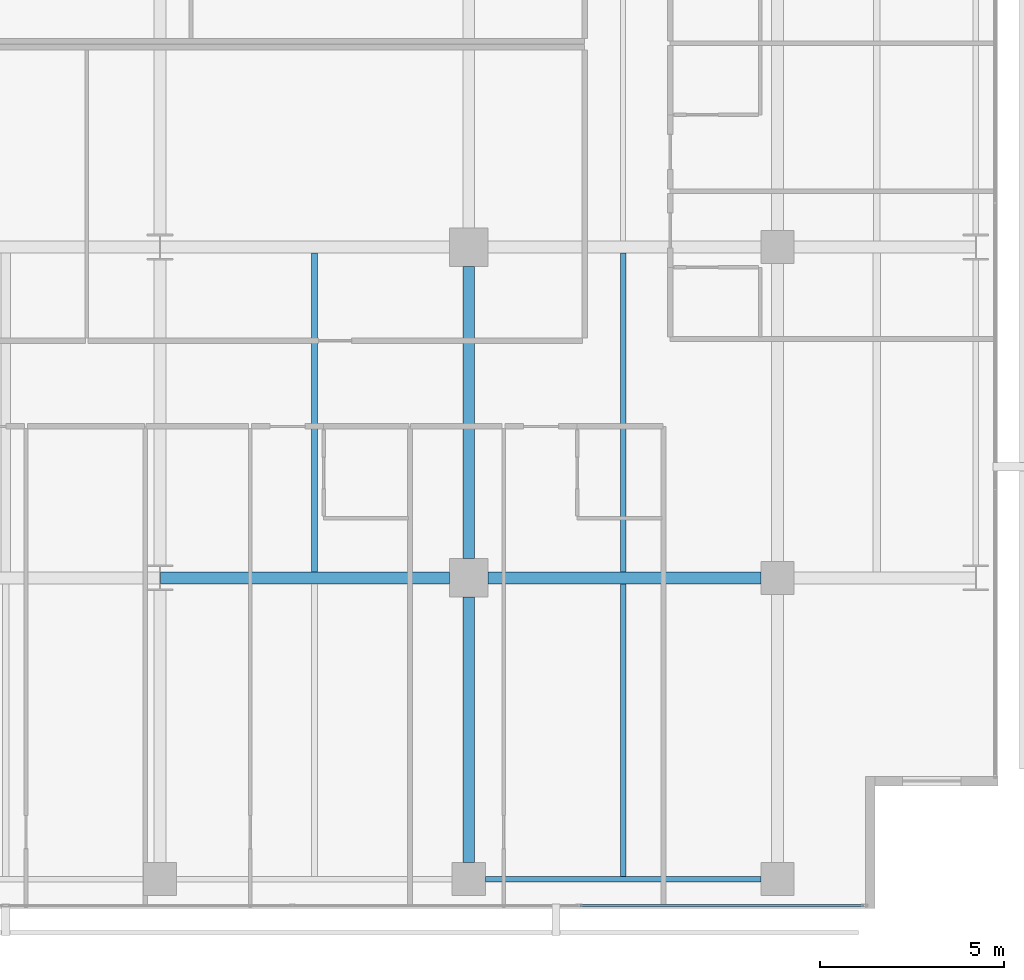
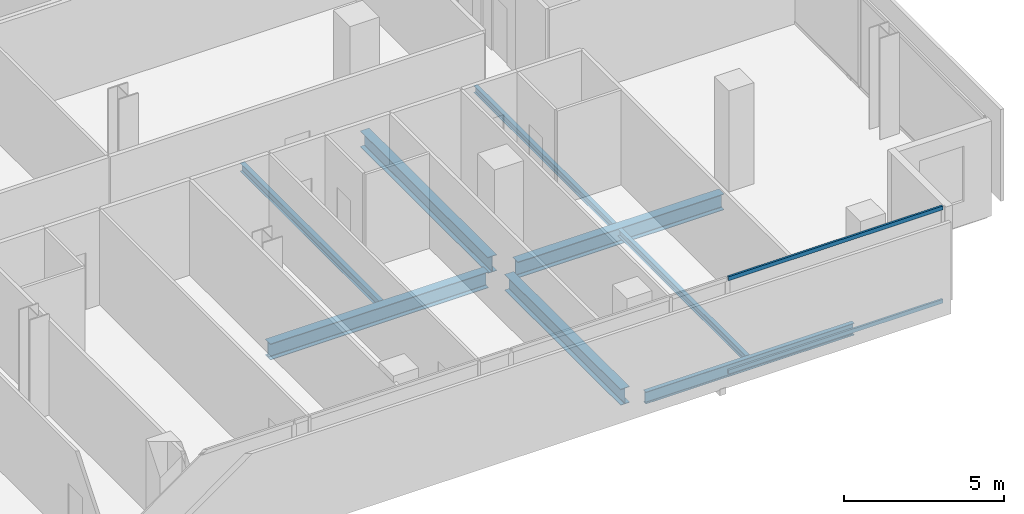
# One storey, part 15 of 41: 8 beams, 2 members, 1 element without a shape of its own.
"""IFC4 building model written with IfcOpenShell, lengths in metres."""

from ifc_helpers import new_model, si_unit, direction, frame, origin, origin_2d, place, context, subcontext, project, spatial, hollow_rectangle, i_section, extrude, material, layer, layer_set, material_profile, profile_set, type_object, element, aggregate, save


model = new_model("IFC4")

# Units and contexts
model_context = context("Model", 3, precision=1e-05, world=origin(), true_north=direction((0.0, 1.0)))
body_context = subcontext(model_context, "Body", "Model", "MODEL_VIEW")
ifc_project = project(units=[si_unit("LENGTHUNIT", "METRE"), si_unit("AREAUNIT", "SQUARE_METRE"), si_unit("VOLUMEUNIT", "CUBIC_METRE"), si_unit("PLANEANGLEUNIT", "RADIAN"), si_unit("MASSUNIT", "GRAM", prefix="KILO")], contexts=[model_context])

# Site, building, storey
site_placement = place(None, origin())
site = spatial("IfcSite", under=ifc_project, at=site_placement, CompositionType="ELEMENT")
building_placement = place(site_placement, origin())
building = spatial("IfcBuilding", under=site, at=building_placement, Name="Maruvema Waterfront Hotel and Observation Tower", CompositionType="ELEMENT")
storey_placement = place(building_placement, frame((0.0, 0.0, 84.699951171875)))
storey = spatial("IfcBuildingStorey", under=building, at=storey_placement, Name="L20", CompositionType="ELEMENT", Elevation=84.699951171875)

# Curtain wall, members
ifc_material_1 = material(Name="Anodised bronze aluminium and solar-control low-E IGU", Category="aluminium")
ifc_layer = layer(ifc_material_1, 0.159912109375, Name="Zone 1 Bronze Inner Thermal Curtain Wall System CW-02")
ifc_layer_set = layer_set([ifc_layer], Name="Anodised bronze aluminium and solar-control low-E IGU")
curtain_wall_type = type_object("IfcCurtainWallType", Name="Zone 1 Bronze Inner Thermal Curtain Wall System CW-02", PredefinedType="USERDEFINED", material=ifc_layer_set)
curtain_wall_placement = place(storey_placement, origin())
curtain_wall = element("IfcCurtainWall", 1, at=curtain_wall_placement, inside=storey, type_object=curtain_wall_type, Name="L20 Curtain Wall CW-L20-S", ObjectType="UNITISED CURTAIN WALL", PredefinedType="USERDEFINED")
ifc_material_2 = material(Name="Anodised architectural bronze aluminium", Category="aluminium")
ifc_material_profile_1 = material_profile(ifc_material_2, hollow_rectangle(XDim=0.070068359375, YDim=0.14990234375, WallThickness=0.00390625, at=origin_2d()), Name="ALU-T70x150")
ifc_profile_set_1 = profile_set([ifc_material_profile_1], Name="Anodised architectural bronze aluminium")
member_type = type_object("IfcMemberType", Name="Curtain Wall Horizontal Transom ALU-T70x150", PredefinedType="USERDEFINED", material=ifc_profile_set_1)
member_1_placement = place(storey_placement, frame((53.429931640625, 0.080078125, 0.030029296875), z_axis=(1.0, 0.0, 0.0), x_axis=(0.0, 1.0, 0.0)))
member_1 = element("IfcMember", 2, at=member_1_placement, type_object=member_type, Name="CW-02 transom 6.1", ObjectType="TRANSOM", PredefinedType="USERDEFINED", context=body_context, shape_type="SweptSolid", body=[
    extrude(hollow_rectangle(XDim=0.070068359375, YDim=0.14990234375, WallThickness=0.00390625, at=origin_2d()), origin(), (0.0, 0.0, 1.0), 7.7099609375),
])
member_2_placement = place(storey_placement, frame((53.429931640625, 0.080078125, 3.580078125), z_axis=(1.0, 0.0, 0.0), x_axis=(0.0, 1.0, 0.0)))
member_2 = element("IfcMember", 3, at=member_2_placement, type_object=member_type, Name="CW-02 transom 6.2", ObjectType="TRANSOM", PredefinedType="USERDEFINED", context=body_context, shape_type="SweptSolid", body=[
    extrude(hollow_rectangle(XDim=0.070068359375, YDim=0.14990234375, WallThickness=0.00390625, at=origin_2d()), origin(), (0.0, 0.0, 1.0), 7.7099609375),
])
aggregate(curtain_wall, [member_1, member_2])

# Beams
ifc_material_3 = material(Name="Steel ASTM A572 Grade 50", Category="steel")
ifc_material_profile_2 = material_profile(ifc_material_3, i_section(OverallWidth=0.153076171875, OverallDepth=0.455078125, WebThickness=0.008056640625, FlangeThickness=0.01318359375, FilletRadius=0.014892578125, at=origin_2d()), Name="W460x60.0")
ifc_profile_set_2 = profile_set([ifc_material_profile_2], Name="Steel ASTM A572 Grade 50")
beam_type_1 = type_object("IfcBeamType", Name="Perimeter Spandrel Beam W460x60.0", PredefinedType="SPANDREL", material=ifc_profile_set_2)
beam_1_placement = place(storey_placement, frame((50.85009765625, 0.800048828125, -0.467529296875), z_axis=(1.0, 0.0, 0.0), x_axis=(0.0, 1.0, 0.0)))
element("IfcBeam", 4, at=beam_1_placement, inside=storey, type_object=beam_type_1, Name="L20 Floor Girder EW-05", PredefinedType="SPANDREL", context=body_context, shape_type="SweptSolid", body=[
    extrude(i_section(OverallWidth=0.153076171875, OverallDepth=0.455078125, WebThickness=0.008056640625, FlangeThickness=0.01318359375, FilletRadius=0.014892578125, at=origin_2d()), origin(), (0.0, 0.0, 1.0), 7.5),
])
ifc_material_4 = material(Name="Steel ASTM A572 Grade 50", Category="steel")
ifc_material_profile_3 = material_profile(ifc_material_4, i_section(OverallWidth=0.323974609375, OverallDepth=0.611083984375, WebThickness=0.0126953125, FlangeThickness=0.01904296875, FilletRadius=0.01806640625, at=origin_2d()), Name="W610x155.0")
ifc_profile_set_3 = profile_set([ifc_material_profile_3], Name="Steel ASTM A572 Grade 50")
beam_type_2 = type_object("IfcBeamType", Name="Primary Floor Girder W610x155.0", PredefinedType="BEAM", material=ifc_profile_set_3)
beam_2_placement = place(storey_placement, frame((42.013916015625, 9.0, -0.54541015625), z_axis=(1.0, 0.0, 0.0), x_axis=(0.0, 1.0, 0.0)))
element("IfcBeam", 5, at=beam_2_placement, inside=storey, type_object=beam_type_2, Name="L20 Floor Girder EW-10", PredefinedType="BEAM", context=body_context, shape_type="SweptSolid", body=[
    extrude(i_section(OverallWidth=0.323974609375, OverallDepth=0.611083984375, WebThickness=0.0126953125, FlangeThickness=0.01904296875, FilletRadius=0.01806640625, at=origin_2d()), origin(), (0.0, 0.0, 1.0), 7.861083984375),
])
beam_3_placement = place(storey_placement, frame((50.925048828125, 9.0, -0.54541015625), z_axis=(1.0, 0.0, 0.0), x_axis=(0.0, 1.0, 0.0)))
element("IfcBeam", 6, at=beam_3_placement, inside=storey, type_object=beam_type_2, Name="L20 Floor Girder EW-11", PredefinedType="BEAM", context=body_context, shape_type="SweptSolid", body=[
    extrude(i_section(OverallWidth=0.323974609375, OverallDepth=0.611083984375, WebThickness=0.0126953125, FlangeThickness=0.01904296875, FilletRadius=0.01806640625, at=origin_2d()), origin(), (0.0, 0.0, 1.0), 7.425048828125),
])
beam_4_placement = place(storey_placement, frame((50.39990234375, 1.25, -0.54541015625), z_axis=(0.0, 1.0, 0.0), x_axis=(-1.0, 0.0, 0.0)))
element("IfcBeam", 7, at=beam_4_placement, inside=storey, type_object=beam_type_2, Name="L20 Floor Girder NS-22", PredefinedType="BEAM", context=body_context, shape_type="SweptSolid", body=[
    extrude(i_section(OverallWidth=0.323974609375, OverallDepth=0.611083984375, WebThickness=0.0126953125, FlangeThickness=0.01904296875, FilletRadius=0.01806640625, at=origin_2d()), origin(), (0.0, 0.0, 1.0), 7.22509765625),
])
beam_5_placement = place(storey_placement, frame((50.39990234375, 9.52490234375, -0.54541015625), z_axis=(0.0, 1.0, 0.0), x_axis=(-1.0, 0.0, 0.0)))
element("IfcBeam", 8, at=beam_5_placement, inside=storey, type_object=beam_type_2, Name="L20 Floor Girder NS-23", PredefinedType="BEAM", context=body_context, shape_type="SweptSolid", body=[
    extrude(i_section(OverallWidth=0.323974609375, OverallDepth=0.611083984375, WebThickness=0.0126953125, FlangeThickness=0.01904296875, FilletRadius=0.01806640625, at=origin_2d()), origin(), (0.0, 0.0, 1.0), 7.9501953125),
])
ifc_material_5 = material(Name="Steel ASTM A572 Grade 50", Category="steel")
ifc_material_profile_4 = material_profile(ifc_material_5, i_section(OverallWidth=0.14599609375, OverallDepth=0.258056640625, WebThickness=0.006103515625, FlangeThickness=0.009033203125, FilletRadius=0.012939453125, at=origin_2d()), Name="W250x32.7")
ifc_profile_set_4 = profile_set([ifc_material_profile_4], Name="Steel ASTM A572 Grade 50")
beam_type_3 = type_object("IfcBeamType", Name="Secondary Floor Joist W250x32.7", PredefinedType="JOIST", material=ifc_profile_set_4)
beam_6_placement = place(storey_placement, frame((54.60009765625, 9.162109375, -0.368896484375), z_axis=(0.0, 1.0, 0.0), x_axis=(-1.0, 0.0, 0.0)))
element("IfcBeam", 9, at=beam_6_placement, inside=storey, type_object=beam_type_3, Name="L20 Secondary Floor Joist JS-17", PredefinedType="JOIST", context=body_context, shape_type="SweptSolid", body=[
    extrude(i_section(OverallWidth=0.14599609375, OverallDepth=0.258056640625, WebThickness=0.006103515625, FlangeThickness=0.009033203125, FilletRadius=0.012939453125, at=origin_2d()), origin(), (0.0, 0.0, 1.0), 8.67578125),
])
ifc_material_6 = material(Name="Steel ASTM A572 Grade 50", Category="steel")
ifc_material_profile_5 = material_profile(ifc_material_6, i_section(OverallWidth=0.14794921875, OverallDepth=0.26611328125, WebThickness=0.007568359375, FlangeThickness=0.012939453125, FilletRadius=0.012939453125, at=origin_2d()), Name="W250x44.8")
ifc_profile_set_5 = profile_set([ifc_material_profile_5], Name="Steel ASTM A572 Grade 50")
beam_type_4 = type_object("IfcBeamType", Name="Secondary Floor Joist W250x44.8", PredefinedType="JOIST", material=ifc_profile_set_5)
beam_7_placement = place(storey_placement, frame((54.60009765625, 0.87646484375, -0.373046875), z_axis=(0.0, 1.0, 0.0), x_axis=(-1.0, 0.0, 0.0)))
element("IfcBeam", 10, at=beam_7_placement, inside=storey, type_object=beam_type_4, Name="L20 Secondary Floor Joist JS-16", PredefinedType="JOIST", context=body_context, shape_type="SweptSolid", body=[
    extrude(i_section(OverallWidth=0.14794921875, OverallDepth=0.26611328125, WebThickness=0.007568359375, FlangeThickness=0.012939453125, FilletRadius=0.012939453125, at=origin_2d()), origin(), (0.0, 0.0, 1.0), 7.96142578125),
])
ifc_material_7 = material(Name="Steel ASTM A572 Grade 50", Category="steel")
ifc_material_profile_6 = material_profile(ifc_material_7, i_section(OverallWidth=0.1650390625, OverallDepth=0.31005859375, WebThickness=0.005859375, FlangeThickness=0.009765625, FilletRadius=0.012939453125, at=origin_2d()), Name="W310x38.7")
ifc_profile_set_6 = profile_set([ifc_material_profile_6], Name="Steel ASTM A572 Grade 50")
beam_type_5 = type_object("IfcBeamType", Name="Secondary Floor Joist W310x38.7", PredefinedType="JOIST", material=ifc_profile_set_6)
beam_8_placement = place(storey_placement, frame((46.199951171875, 9.162109375, -0.39501953125), z_axis=(0.0, 1.0, 0.0), x_axis=(-1.0, 0.0, 0.0)))
element("IfcBeam", 11, at=beam_8_placement, inside=storey, type_object=beam_type_5, Name="L20 Secondary Floor Joist JS-15", PredefinedType="JOIST", context=body_context, shape_type="SweptSolid", body=[
    extrude(i_section(OverallWidth=0.1650390625, OverallDepth=0.31005859375, WebThickness=0.005859375, FlangeThickness=0.009765625, FilletRadius=0.012939453125, at=origin_2d()), origin(), (0.0, 0.0, 1.0), 8.67578125),
])

save(model, "model.ifc")
